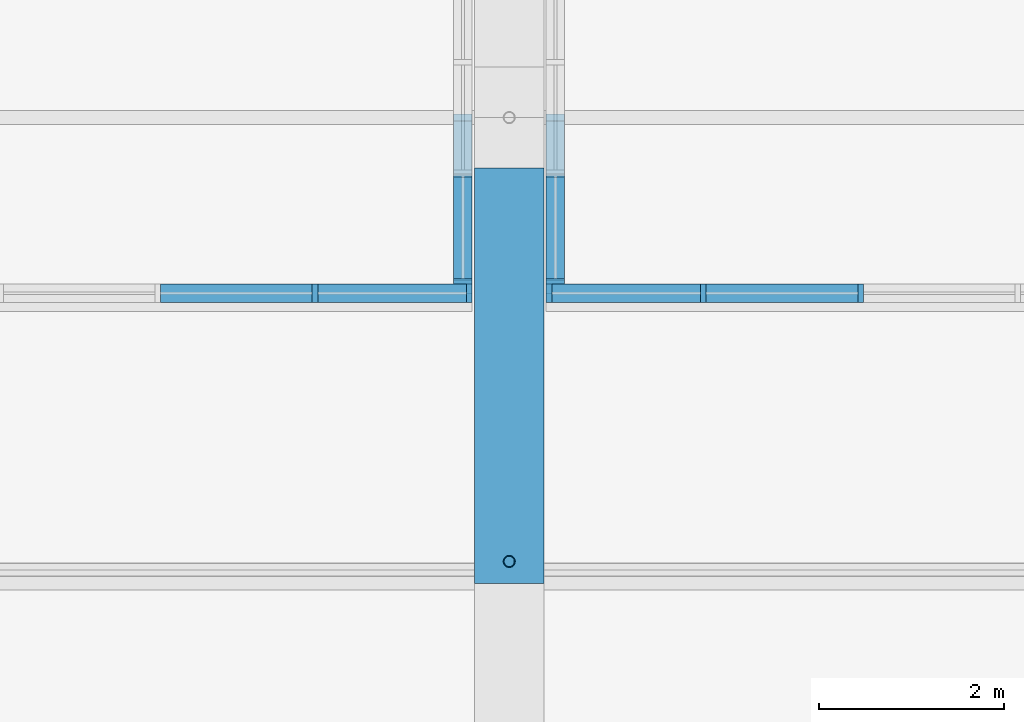
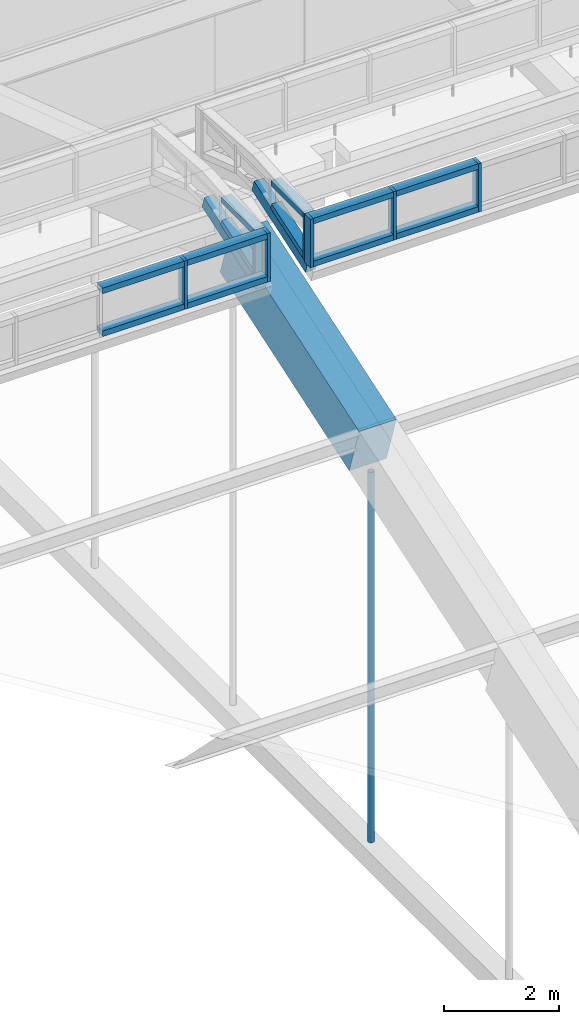
# One storey, part 31 of 149: 22 members, 1 beam, 4 elements without a shape of their own.
"""IFC4 building model written with IfcOpenShell, lengths in metres."""

from ifc_helpers import new_model, si_unit, direction, frame, origin, origin_2d, place, context, subcontext, project, spatial, rectangle, hollow_circle, extrude, material, material_profile, profile_set, type_object, element, aggregate, save


model = new_model("IFC4")

# Units and contexts
model_context = context("Model", 3, precision=1e-05, world=origin(), true_north=direction((0.0, 1.0)))
body_context = subcontext(model_context, "Body", "Model", "MODEL_VIEW")
ifc_project = project(units=[si_unit("LENGTHUNIT", "METRE"), si_unit("AREAUNIT", "SQUARE_METRE"), si_unit("VOLUMEUNIT", "CUBIC_METRE"), si_unit("PLANEANGLEUNIT", "RADIAN"), si_unit("MASSUNIT", "GRAM", prefix="KILO")], contexts=[model_context])

# Site, building, storey
site_placement = place(None, origin())
site = spatial("IfcSite", under=ifc_project, at=site_placement, CompositionType="ELEMENT")
building_placement = place(site_placement, origin())
building = spatial("IfcBuilding", under=site, at=building_placement, Name="Alderwick Market Hall", CompositionType="ELEMENT")
storey_placement = place(building_placement, frame((0.0, 0.0, 9.60009765625)))
storey = spatial("IfcBuildingStorey", under=building, at=storey_placement, Name="L01", CompositionType="ELEMENT", Elevation=9.60009765625)

# Beam
ifc_material_1 = material(Name="Concrete 5000 psi (f'c 35 MPa)", Category="concrete")
ifc_material_profile_1 = material_profile(ifc_material_1, rectangle(XDim=0.75, YDim=1.10009765625, at=origin_2d()), Name="RC 750x1100")
ifc_profile_set_1 = profile_set([ifc_material_profile_1], Name="Concrete 5000 psi (f'c 35 MPa)")
beam_type = type_object("IfcBeamType", Name="R Arch Rib Crown 750x1100", PredefinedType="BEAM", material=ifc_profile_set_1)
beam_placement = place(storey_placement, frame((64.800048828125, 74.336669921875, 14.78955078125), z_axis=(0.0, 0.948678138981, 0.316243242806), x_axis=(-1.0, 0.0, 0.0)))
element("IfcBeam", 1, at=beam_placement, inside=storey, type_object=beam_type, Name="Arch rib 2 chord 6", PredefinedType="BEAM", context=body_context, shape_type="SweptSolid", body=[
    extrude(rectangle(XDim=0.75, YDim=1.10009765625, at=origin_2d()), origin(), (0.0, 0.0, 1.0), 4.732421875),
])

# Curtain wall, members
ifc_material_2 = material(Name="Aluminium", Category="aluminium")
curtain_wall_type = type_object("IfcCurtainWallType", Name="R Curtain Wall Frame", PredefinedType="NOTDEFINED", material=ifc_material_2)
curtain_wall_1_placement = place(storey_placement, origin())
curtain_wall_1 = element("IfcCurtainWall", 2, at=curtain_wall_1_placement, inside=storey, type_object=curtain_wall_type, Name="Curtain wall LCW S1", PredefinedType="NOTDEFINED")
ifc_material_profile_2 = material_profile(ifc_material_2, rectangle(XDim=0.199951171875, YDim=0.06005859375, at=origin_2d()), Name="AL 60x200")
ifc_profile_set_2 = profile_set([ifc_material_profile_2], Name="Aluminium")
member_type_1 = type_object("IfcMemberType", Name="R CW Mullion 60x200", PredefinedType="MULLION", material=ifc_profile_set_2)
member_1_placement = place(storey_placement, frame((62.699951171875, 77.300048828125, 16.670166015625), z_axis=(0.0, 0.0, 1.0), x_axis=(0.0, 1.0, 0.0)))
member_1 = element("IfcMember", 3, at=member_1_placement, type_object=member_type_1, Name="LCW S1 mullion 8", PredefinedType="MULLION", context=body_context, shape_type="SweptSolid", body=[
    extrude(rectangle(XDim=0.199951171875, YDim=0.06005859375, at=origin_2d()), origin(), (0.0, 0.0, 1.0), 1.02978515625),
])
member_2_placement = place(storey_placement, frame((64.3701171875, 77.300048828125, 16.670166015625), z_axis=(0.0, 0.0, 1.0), x_axis=(0.0, 1.0, 0.0)))
member_2 = element("IfcMember", 4, at=member_2_placement, type_object=member_type_1, Name="LCW S1 mullion 9", PredefinedType="MULLION", context=body_context, shape_type="SweptSolid", body=[
    extrude(rectangle(XDim=0.199951171875, YDim=0.06005859375, at=origin_2d()), origin(), (0.0, 0.0, 1.0), 1.02978515625),
])

# Curtain wall, member
curtain_wall_2_placement = place(storey_placement, origin())
curtain_wall_2 = element("IfcCurtainWall", 5, at=curtain_wall_2_placement, inside=storey, type_object=curtain_wall_type, Name="Curtain wall LCW E1", PredefinedType="NOTDEFINED")
member_3_placement = place(storey_placement, frame((64.300048828125, 77.429931640625, 16.713623046875), z_axis=(0.0, 0.0, 1.0), x_axis=(1.0, 0.0, 0.0)))
member_3 = element("IfcMember", 6, at=member_3_placement, type_object=member_type_1, Name="LCW E1 mullion 1", PredefinedType="MULLION", context=body_context, shape_type="SweptSolid", body=[
    extrude(rectangle(XDim=0.199951171875, YDim=0.06005859375, at=origin_2d()), origin(), (0.0, 0.0, 1.0), 0.986328125),
])

# Curtain wall, members
curtain_wall_3_placement = place(storey_placement, origin())
curtain_wall_3 = element("IfcCurtainWall", 7, at=curtain_wall_3_placement, inside=storey, type_object=curtain_wall_type, Name="Curtain wall LCW S2", PredefinedType="NOTDEFINED")
member_4_placement = place(storey_placement, frame((65.22998046875, 77.300048828125, 16.670166015625), z_axis=(0.0, 0.0, 1.0), x_axis=(0.0, 1.0, 0.0)))
member_4 = element("IfcMember", 8, at=member_4_placement, type_object=member_type_1, Name="LCW S2 mullion 1", PredefinedType="MULLION", context=body_context, shape_type="SweptSolid", body=[
    extrude(rectangle(XDim=0.199951171875, YDim=0.06005859375, at=origin_2d()), origin(), (0.0, 0.0, 1.0), 1.02978515625),
])
member_5_placement = place(storey_placement, frame((66.89990234375, 77.300048828125, 16.670166015625), z_axis=(0.0, 0.0, 1.0), x_axis=(0.0, 1.0, 0.0)))
member_5 = element("IfcMember", 9, at=member_5_placement, type_object=member_type_1, Name="LCW S2 mullion 2", PredefinedType="MULLION", context=body_context, shape_type="SweptSolid", body=[
    extrude(rectangle(XDim=0.199951171875, YDim=0.06005859375, at=origin_2d()), origin(), (0.0, 0.0, 1.0), 1.02978515625),
])
member_6_placement = place(storey_placement, frame((68.60009765625, 77.300048828125, 16.670166015625), z_axis=(0.0, 0.0, 1.0), x_axis=(0.0, 1.0, 0.0)))
member_6 = element("IfcMember", 10, at=member_6_placement, type_object=member_type_1, Name="LCW S2 mullion 3", PredefinedType="MULLION", context=body_context, shape_type="SweptSolid", body=[
    extrude(rectangle(XDim=0.199951171875, YDim=0.06005859375, at=origin_2d()), origin(), (0.0, 0.0, 1.0), 1.02978515625),
])

# Curtain wall, member
curtain_wall_4_placement = place(storey_placement, origin())
curtain_wall_4 = element("IfcCurtainWall", 11, at=curtain_wall_4_placement, inside=storey, type_object=curtain_wall_type, Name="Curtain wall LCW W2", PredefinedType="NOTDEFINED")
member_7_placement = place(storey_placement, frame((65.300048828125, 77.429931640625, 16.713623046875), z_axis=(0.0, 0.0, 1.0), x_axis=(1.0, 0.0, 0.0)))
member_7 = element("IfcMember", 12, at=member_7_placement, type_object=member_type_1, Name="LCW W2 mullion 1", PredefinedType="MULLION", context=body_context, shape_type="SweptSolid", body=[
    extrude(rectangle(XDim=0.199951171875, YDim=0.06005859375, at=origin_2d()), origin(), (0.0, 0.0, 1.0), 0.986328125),
])

# Member
ifc_material_profile_3 = material_profile(ifc_material_2, rectangle(XDim=0.199951171875, YDim=0.1201171875, at=origin_2d()), Name="AL 120x200")
ifc_profile_set_3 = profile_set([ifc_material_profile_3], Name="Aluminium")
member_type_2 = type_object("IfcMemberType", Name="R CW Transom 120x200", PredefinedType="USERDEFINED", material=ifc_profile_set_3)
member_8_placement = place(storey_placement, frame((61.030029296875, 77.300048828125, 16.730224609375), z_axis=(1.0, 0.0, 0.0), x_axis=(0.0, 1.0, 0.0)))
member_8 = element("IfcMember", 13, at=member_8_placement, type_object=member_type_2, Name="LCW S1 sill transom 7", ObjectType="TRANSOM", PredefinedType="USERDEFINED", context=body_context, shape_type="SweptSolid", body=[
    extrude(rectangle(XDim=0.199951171875, YDim=0.1201171875, at=origin_2d()), origin(), (0.0, 0.0, 1.0), 1.639892578125),
])

member_9_placement = place(storey_placement, frame((61.030029296875, 77.300048828125, 17.639892578125), z_axis=(1.0, 0.0, 0.0), x_axis=(0.0, 1.0, 0.0)))
member_9 = element("IfcMember", 14, at=member_9_placement, type_object=member_type_2, Name="LCW S1 head transom 7", ObjectType="TRANSOM", PredefinedType="USERDEFINED", context=body_context, shape_type="SweptSolid", body=[
    extrude(rectangle(XDim=0.199951171875, YDim=0.1201171875, at=origin_2d()), origin(), (0.0, 0.0, 1.0), 1.639892578125),
])

member_10_placement = place(storey_placement, frame((62.72998046875, 77.300048828125, 16.730224609375), z_axis=(1.0, 0.0, 0.0), x_axis=(0.0, 1.0, 0.0)))
member_10 = element("IfcMember", 15, at=member_10_placement, type_object=member_type_2, Name="LCW S1 sill transom 8", ObjectType="TRANSOM", PredefinedType="USERDEFINED", context=body_context, shape_type="SweptSolid", body=[
    extrude(rectangle(XDim=0.199951171875, YDim=0.1201171875, at=origin_2d()), origin(), (0.0, 0.0, 1.0), 1.610107421875),
])

member_11_placement = place(storey_placement, frame((62.72998046875, 77.300048828125, 17.639892578125), z_axis=(1.0, 0.0, 0.0), x_axis=(0.0, 1.0, 0.0)))
member_11 = element("IfcMember", 16, at=member_11_placement, type_object=member_type_2, Name="LCW S1 head transom 8", ObjectType="TRANSOM", PredefinedType="USERDEFINED", context=body_context, shape_type="SweptSolid", body=[
    extrude(rectangle(XDim=0.199951171875, YDim=0.1201171875, at=origin_2d()), origin(), (0.0, 0.0, 1.0), 1.610107421875),
])

aggregate(curtain_wall_1, [member_1, member_2, member_8, member_9, member_10, member_11])

member_12_placement = place(storey_placement, frame((64.300048828125, 77.4599609375, 16.783447265625), z_axis=(0.0, 0.948662432506, 0.316290355768), x_axis=(-1.0, 0.0, 0.0)))
member_12 = element("IfcMember", 17, at=member_12_placement, type_object=member_type_2, Name="LCW E1 sill transom 1", ObjectType="TRANSOM", PredefinedType="USERDEFINED", context=body_context, shape_type="SweptSolid", body=[
    extrude(rectangle(XDim=0.199951171875, YDim=0.1201171875, at=origin_2d()), origin(), (0.0, 0.0, 1.0), 1.170166015625),
])

member_13_placement = place(storey_placement, frame((64.300048828125, 77.4599609375, 17.639892578125), z_axis=(0.0, 1.0, 0.0), x_axis=(-1.0, 0.0, 0.0)))
member_13 = element("IfcMember", 18, at=member_13_placement, type_object=member_type_2, Name="LCW E1 head transom 1", ObjectType="TRANSOM", PredefinedType="USERDEFINED", context=body_context, shape_type="SweptSolid", body=[
    extrude(rectangle(XDim=0.199951171875, YDim=0.1201171875, at=origin_2d()), origin(), (0.0, 0.0, 1.0), 1.110107421875),
])

member_14_placement = place(storey_placement, frame((65.260009765625, 77.300048828125, 16.730224609375), z_axis=(1.0, 0.0, 0.0), x_axis=(0.0, 1.0, 0.0)))
member_14 = element("IfcMember", 19, at=member_14_placement, type_object=member_type_2, Name="LCW S2 sill transom 1", ObjectType="TRANSOM", PredefinedType="USERDEFINED", context=body_context, shape_type="SweptSolid", body=[
    extrude(rectangle(XDim=0.199951171875, YDim=0.1201171875, at=origin_2d()), origin(), (0.0, 0.0, 1.0), 1.610107421875),
])

member_15_placement = place(storey_placement, frame((65.260009765625, 77.300048828125, 17.639892578125), z_axis=(1.0, 0.0, 0.0), x_axis=(0.0, 1.0, 0.0)))
member_15 = element("IfcMember", 20, at=member_15_placement, type_object=member_type_2, Name="LCW S2 head transom 1", ObjectType="TRANSOM", PredefinedType="USERDEFINED", context=body_context, shape_type="SweptSolid", body=[
    extrude(rectangle(XDim=0.199951171875, YDim=0.1201171875, at=origin_2d()), origin(), (0.0, 0.0, 1.0), 1.610107421875),
])

member_16_placement = place(storey_placement, frame((66.929931640625, 77.300048828125, 16.730224609375), z_axis=(1.0, 0.0, 0.0), x_axis=(0.0, 1.0, 0.0)))
member_16 = element("IfcMember", 21, at=member_16_placement, type_object=member_type_2, Name="LCW S2 sill transom 2", ObjectType="TRANSOM", PredefinedType="USERDEFINED", context=body_context, shape_type="SweptSolid", body=[
    extrude(rectangle(XDim=0.199951171875, YDim=0.1201171875, at=origin_2d()), origin(), (0.0, 0.0, 1.0), 1.64013671875),
])

member_17_placement = place(storey_placement, frame((66.929931640625, 77.300048828125, 17.639892578125), z_axis=(1.0, 0.0, 0.0), x_axis=(0.0, 1.0, 0.0)))
member_17 = element("IfcMember", 22, at=member_17_placement, type_object=member_type_2, Name="LCW S2 head transom 2", ObjectType="TRANSOM", PredefinedType="USERDEFINED", context=body_context, shape_type="SweptSolid", body=[
    extrude(rectangle(XDim=0.199951171875, YDim=0.1201171875, at=origin_2d()), origin(), (0.0, 0.0, 1.0), 1.64013671875),
])

aggregate(curtain_wall_3, [member_4, member_5, member_6, member_14, member_15, member_16, member_17])

member_18_placement = place(storey_placement, frame((65.300048828125, 77.4599609375, 16.783447265625), z_axis=(0.0, 0.948662432506, 0.316290355768), x_axis=(-1.0, 0.0, 0.0)))
member_18 = element("IfcMember", 23, at=member_18_placement, type_object=member_type_2, Name="LCW W2 sill transom 1", ObjectType="TRANSOM", PredefinedType="USERDEFINED", context=body_context, shape_type="SweptSolid", body=[
    extrude(rectangle(XDim=0.199951171875, YDim=0.1201171875, at=origin_2d()), origin(), (0.0, 0.0, 1.0), 1.170166015625),
])

member_19_placement = place(storey_placement, frame((65.300048828125, 77.4599609375, 17.639892578125), z_axis=(0.0, 1.0, 0.0), x_axis=(-1.0, 0.0, 0.0)))
member_19 = element("IfcMember", 24, at=member_19_placement, type_object=member_type_2, Name="LCW W2 head transom 1", ObjectType="TRANSOM", PredefinedType="USERDEFINED", context=body_context, shape_type="SweptSolid", body=[
    extrude(rectangle(XDim=0.199951171875, YDim=0.1201171875, at=origin_2d()), origin(), (0.0, 0.0, 1.0), 1.110107421875),
])

ifc_material_3 = material(Name="Steel ASTM A500 Grade C", Category="steel")
ifc_material_profile_4 = material_profile(ifc_material_3, hollow_circle(Radius=0.0634765625, WallThickness=0.005859375, at=origin_2d()), Name="HSS5.000x0.250")
ifc_profile_set_4 = profile_set([ifc_material_profile_4], Name="Steel ASTM A500 Grade C")
member_type_3 = type_object("IfcMemberType", Name="R Hanger HSS5.000x0.250", PredefinedType="POST", material=ifc_profile_set_4)
member_20_placement = place(storey_placement, frame((64.800048828125, 74.39990234375, 6.35302734375), z_axis=(0.0, 0.0, 1.0), x_axis=(1.0, 0.0, 0.0)))
element("IfcMember", 25, at=member_20_placement, inside=storey, type_object=member_type_3, Name="Arch hanger 2.5", PredefinedType="POST", context=body_context, shape_type="SweptSolid", body=[
    extrude(hollow_circle(Radius=0.0634765625, WallThickness=0.005859375, at=origin_2d()), origin(), (0.0, 0.0, 1.0), 7.856689453125),
])

ifc_material_4 = material(Name="Steel ASTM A572 Grade 50", Category="steel")
ifc_material_profile_5 = material_profile(ifc_material_4, rectangle(XDim=0.199951171875, YDim=0.25, at=origin_2d()), Name="Steel plate curb 200x250")
ifc_profile_set_5 = profile_set([ifc_material_profile_5], Name="Steel ASTM A572 Grade 50")
member_type_4 = type_object("IfcMemberType", Name="R Lantern Curb 200x250", PredefinedType="MEMBER", material=ifc_profile_set_5)
member_21_placement = place(storey_placement, frame((64.300048828125, 77.335205078125, 16.5849609375), z_axis=(0.0, 0.948683298051, 0.316227766017), x_axis=(-1.0, 0.0, 0.0)))
member_21 = element("IfcMember", 26, at=member_21_placement, type_object=member_type_4, Name="Lantern end curb E1.1", PredefinedType="MEMBER", context=body_context, shape_type="SweptSolid", body=[
    extrude(rectangle(XDim=0.199951171875, YDim=0.25, at=origin_2d()), origin(), (0.0, 0.0, 1.0), 1.965576171875),
])

aggregate(curtain_wall_2, [member_3, member_12, member_13, member_21])

member_22_placement = place(storey_placement, frame((65.300048828125, 77.335205078125, 16.5849609375), z_axis=(0.0, 0.948683298051, 0.316227766017), x_axis=(-1.0, 0.0, 0.0)))
member_22 = element("IfcMember", 27, at=member_22_placement, type_object=member_type_4, Name="Lantern end curb W2.1", PredefinedType="MEMBER", context=body_context, shape_type="SweptSolid", body=[
    extrude(rectangle(XDim=0.199951171875, YDim=0.25, at=origin_2d()), origin(), (0.0, 0.0, 1.0), 1.965576171875),
])

aggregate(curtain_wall_4, [member_7, member_18, member_19, member_22])

save(model, "model.ifc")
